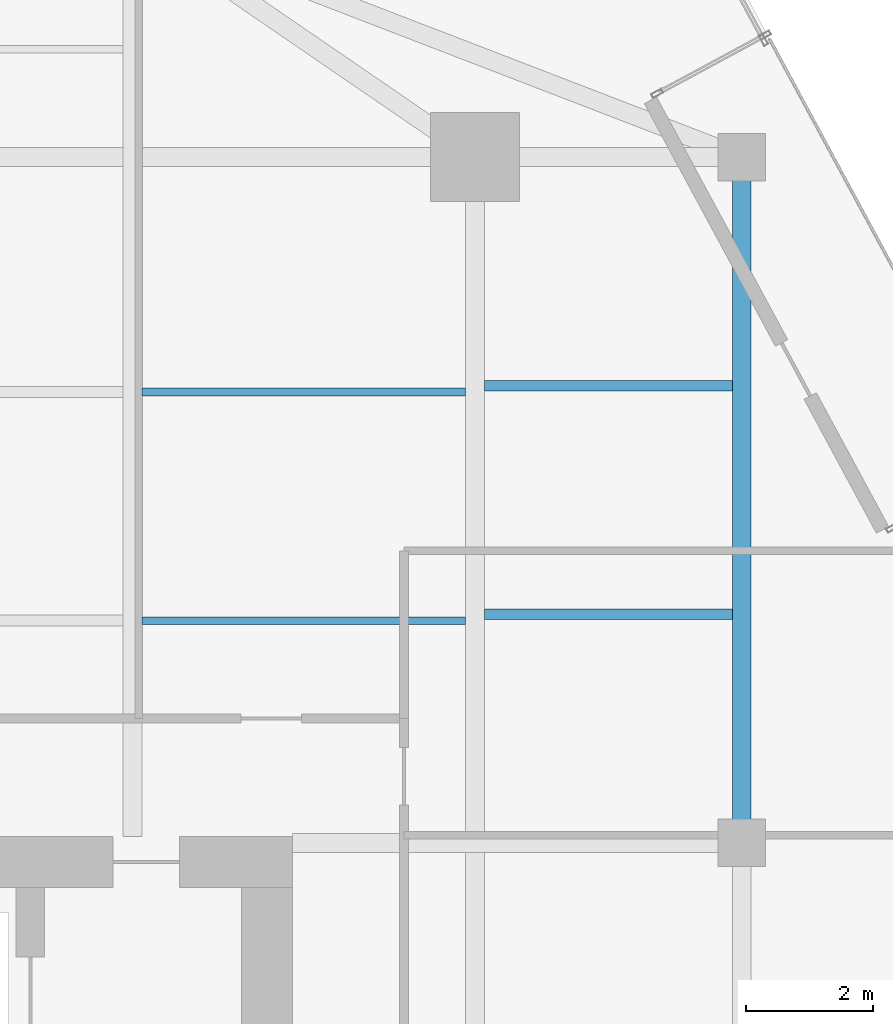
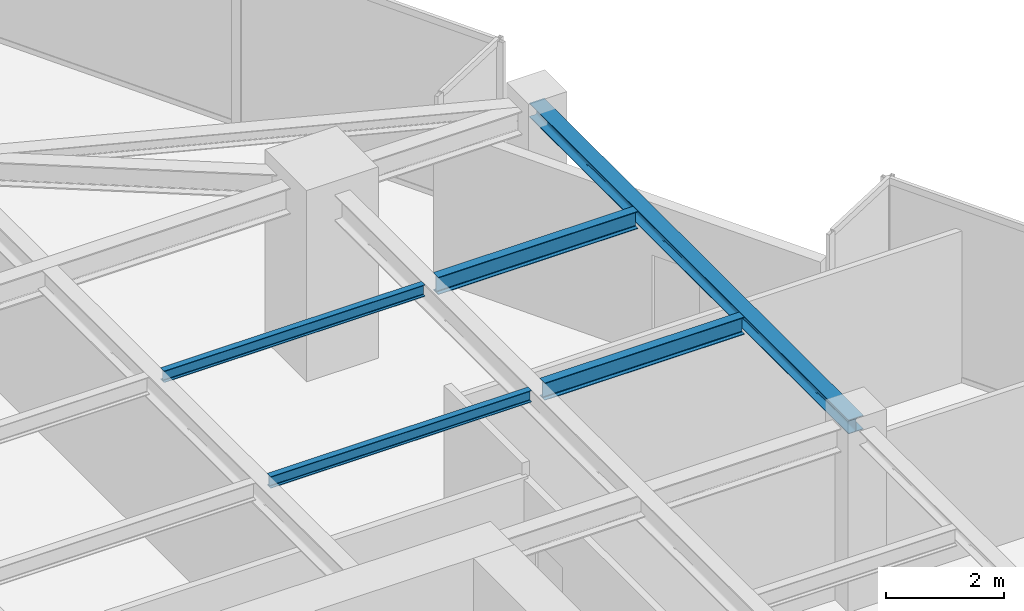
# One storey, part 11 of 22: 5 beams.
"""IFC4 building model written with IfcOpenShell, lengths in metres."""

from ifc_helpers import new_model, si_unit, direction, frame, origin, origin_2d, place, context, subcontext, project, spatial, i_section, extrude, source, transform, mapped, material, material_profile, profile_set, type_object, type_shapes, element, save


model = new_model("IFC4")

# Units and contexts
model_context = context("Model", 3, precision=1e-05, world=origin(), true_north=direction((0.0, 1.0)))
body_context = subcontext(model_context, "Body", "Model", "MODEL_VIEW")
ifc_project = project(units=[si_unit("LENGTHUNIT", "METRE"), si_unit("AREAUNIT", "SQUARE_METRE"), si_unit("VOLUMEUNIT", "CUBIC_METRE"), si_unit("PLANEANGLEUNIT", "RADIAN"), si_unit("MASSUNIT", "GRAM", prefix="KILO")], contexts=[model_context])

# Site, building, storey
site_placement = place(None, origin())
site = spatial("IfcSite", under=ifc_project, at=site_placement, CompositionType="ELEMENT")
building_placement = place(site_placement, origin())
building = spatial("IfcBuilding", under=site, at=building_placement, Name="Krantzveldt Concourse Tower", CompositionType="ELEMENT")
storey_placement = place(building_placement, frame((0.0, 0.0, 302.949951171875)))
storey = spatial("IfcBuildingStorey", under=building, at=storey_placement, Name="L74", CompositionType="ELEMENT", Elevation=302.949951171875)

# Beams
ifc_material = material(Name="Steel S355JR", Category="steel")
ifc_material_profile_1 = material_profile(ifc_material, i_section(OverallWidth=0.2900390625, OverallDepth=0.2900390625, WebThickness=0.008544921875, FlangeThickness=0.013916015625, FilletRadius=0.027099609375, at=origin_2d()), Name="Steel S355JR", Category="steel")
ifc_profile_set_1 = profile_set([ifc_material_profile_1], Name="Steel S355JR - HEA 300")
beam_type_1 = type_object("IfcBeamType", Name="BM-SP-HEA300", PredefinedType="SPANDREL", material=ifc_profile_set_1)
shared_shape_1 = source(origin(), body_context, "Body", "SweptSolid", [
    extrude(i_section(OverallWidth=0.2900390625, OverallDepth=0.2900390625, WebThickness=0.008544921875, FlangeThickness=0.013916015625, FilletRadius=0.027099609375, at=origin_2d()), origin(), (0.0, 0.0, 1.0), 10.800048828125),
])
type_shapes(beam_type_1, [shared_shape_1])
beam_placement = place(storey_placement, frame((51.0, 37.5, 3.525146484375), z_axis=(0.0, -1.0, 0.0), x_axis=(1.0, 0.0, 0.0)))
element("IfcBeam", 1, at=beam_placement, inside=storey, type_object=beam_type_1, Name="L74 Tower Girder SP-R06", PredefinedType="SPANDREL", context=body_context, shape_type="MappedRepresentation", body=[
    mapped(shared_shape_1, transform((0.0, 0.0, 0.0), x_axis=(1.0, 0.0, 0.0), y_axis=(0.0, 1.0, 0.0), z_axis=(0.0, 0.0, 1.0), scale=1.0)),
])
ifc_material_profile_2 = material_profile(ifc_material, i_section(OverallWidth=0.1201171875, OverallDepth=0.239990234375, WebThickness=0.006103515625, FlangeThickness=0.009765625, FilletRadius=0.014892578125, at=origin_2d()), Name="Steel S355JR", Category="steel")
ifc_profile_set_2 = profile_set([ifc_material_profile_2], Name="Steel S355JR - IPE 240")
beam_type_2 = type_object("IfcBeamType", Name="BM-LN-IPE240", PredefinedType="LINTEL", material=ifc_profile_set_2)
shared_shape_2 = source(origin(), body_context, "Body", "SweptSolid", [
    extrude(i_section(OverallWidth=0.1201171875, OverallDepth=0.239990234375, WebThickness=0.006103515625, FlangeThickness=0.009765625, FilletRadius=0.014892578125, at=origin_2d()), origin(), (0.0, 0.0, 1.0), 5.099853515625),
])
type_shapes(beam_type_2, [shared_shape_2])
for number, where, z_axis, x_axis, name in (
    (2, (41.550048828125, 30.199951171875, 3.550048828125), (1.0, 0.0, 0.0), (0.0, 1.0, 0.0), "L74 Secondary Floor Joist JN-E1"),
    (3, (41.550048828125, 33.800048828125, 3.550048828125), (1.0, 0.0, 0.0), (0.0, 1.0, 0.0), "L74 Secondary Floor Joist JN-E2"),
):
    element("IfcBeam", number, at=place(storey_placement, frame(where, z_axis=z_axis, x_axis=x_axis)), inside=storey, type_object=beam_type_2, Name=name, PredefinedType="LINTEL", context=body_context, shape_type="MappedRepresentation", body=[
        mapped(shared_shape_2, transform((0.0, 0.0, 0.0), x_axis=(1.0, 0.0, 0.0), y_axis=(0.0, 1.0, 0.0), z_axis=(0.0, 0.0, 1.0), scale=1.0)),
    ])
ifc_material_profile_3 = material_profile(ifc_material, i_section(OverallWidth=0.169921875, OverallDepth=0.360107421875, WebThickness=0.008056640625, FlangeThickness=0.0126953125, FilletRadius=0.01806640625, at=origin_2d()), Name="Steel S355JR", Category="steel")
ifc_profile_set_3 = profile_set([ifc_material_profile_3], Name="Steel S355JR - IPE 360")
beam_type_3 = type_object("IfcBeamType", Name="BM-J-IPE360", PredefinedType="JOIST", material=ifc_profile_set_3)
shared_shape_3 = source(origin(), body_context, "Body", "SweptSolid", [
    extrude(i_section(OverallWidth=0.169921875, OverallDepth=0.360107421875, WebThickness=0.008056640625, FlangeThickness=0.0126953125, FilletRadius=0.01806640625, at=origin_2d()), origin(), (0.0, 0.0, 1.0), 3.900146484375),
])
type_shapes(beam_type_3, [shared_shape_3])
for number, where, z_axis, x_axis, name in (
    (4, (46.949951171875, 30.300048828125, 3.489990234375), (1.0, 0.0, 0.0), (0.0, 1.0, 0.0), "L74 Secondary Floor Joist JE-3"),
    (5, (46.949951171875, 33.89990234375, 3.489990234375), (1.0, 0.0, 0.0), (0.0, 1.0, 0.0), "L74 Secondary Floor Joist JE-4"),
):
    element("IfcBeam", number, at=place(storey_placement, frame(where, z_axis=z_axis, x_axis=x_axis)), inside=storey, type_object=beam_type_3, Name=name, PredefinedType="JOIST", context=body_context, shape_type="MappedRepresentation", body=[
        mapped(shared_shape_3, transform((0.0, 0.0, 0.0), x_axis=(1.0, 0.0, 0.0), y_axis=(0.0, 1.0, 0.0), z_axis=(0.0, 0.0, 1.0), scale=1.0)),
    ])

save(model, "model.ifc")
